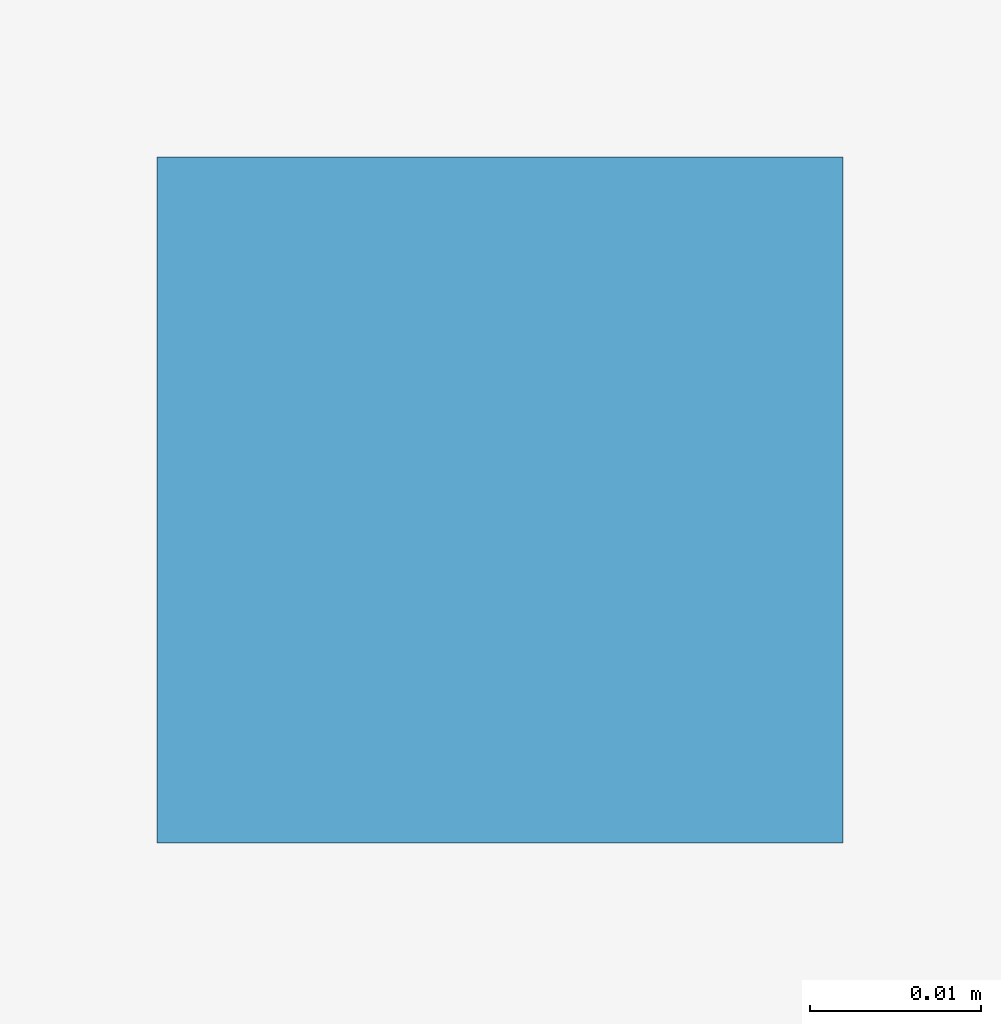
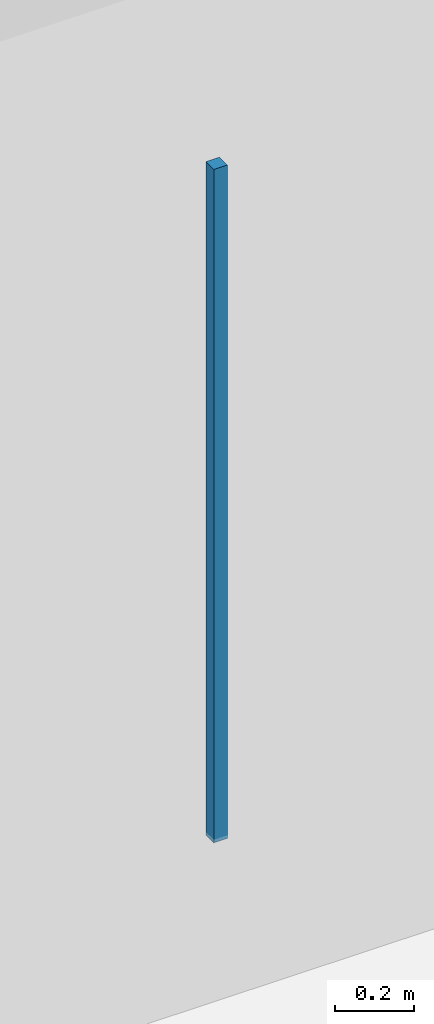
# One storey, part 109 of 157: 1 discrete accessory.
"""IFC4 building model written with IfcOpenShell, lengths in metres."""

from ifc_helpers import new_model, si_unit, direction, frame, origin, origin_2d, place, context, subcontext, project, spatial, rectangle, extrude, material, type_object, element, save


model = new_model("IFC4")

# Units and contexts
model_context = context("Model", 3, precision=1e-05, world=origin(), true_north=direction((0.0, 1.0)))
body_context = subcontext(model_context, "Body", "Model", "MODEL_VIEW")
ifc_project = project(units=[si_unit("LENGTHUNIT", "METRE"), si_unit("AREAUNIT", "SQUARE_METRE"), si_unit("VOLUMEUNIT", "CUBIC_METRE"), si_unit("PLANEANGLEUNIT", "RADIAN"), si_unit("MASSUNIT", "GRAM", prefix="KILO")], contexts=[model_context])

# Site, building, storey
site_placement = place(None, origin())
site = spatial("IfcSite", under=ifc_project, at=site_placement, CompositionType="ELEMENT")
building_placement = place(site_placement, origin())
building = spatial("IfcBuilding", under=site, at=building_placement, Name="Varncliffe General Hospital", CompositionType="ELEMENT")
storey_placement = place(building_placement, frame((0.0, 0.0, 5.39990234375)))
storey = spatial("IfcBuildingStorey", under=building, at=storey_placement, Name="L01", CompositionType="ELEMENT", Elevation=5.39990234375)

# Discrete accessory
ifc_material = material(Name="Powder-coated hospital steel guardrail and handrail", Category="steel")
discrete_accessory_type = type_object("IfcDiscreteAccessoryType", Name="Suspended Ceiling Hanger Bracket CH01", PredefinedType="BRACKET", material=ifc_material)
discrete_accessory_placement = place(storey_placement, frame((6.60009765625, 69.6298828125, 3.18994140625), z_axis=(0.0, 0.0, 1.0), x_axis=(1.0, 0.0, 0.0)))
element("IfcDiscreteAccessory", 1, at=discrete_accessory_placement, inside=storey, type_object=discrete_accessory_type, Name="L01 Suspended Ceiling Hanger 147", PredefinedType="BRACKET", context=body_context, shape_type="SweptSolid", body=[
    extrude(rectangle(XDim=0.0400390625, YDim=0.0400390625, at=origin_2d()), origin(), (0.0, 0.0, 1.0), 2.090087890625),
])

save(model, "model.ifc")
